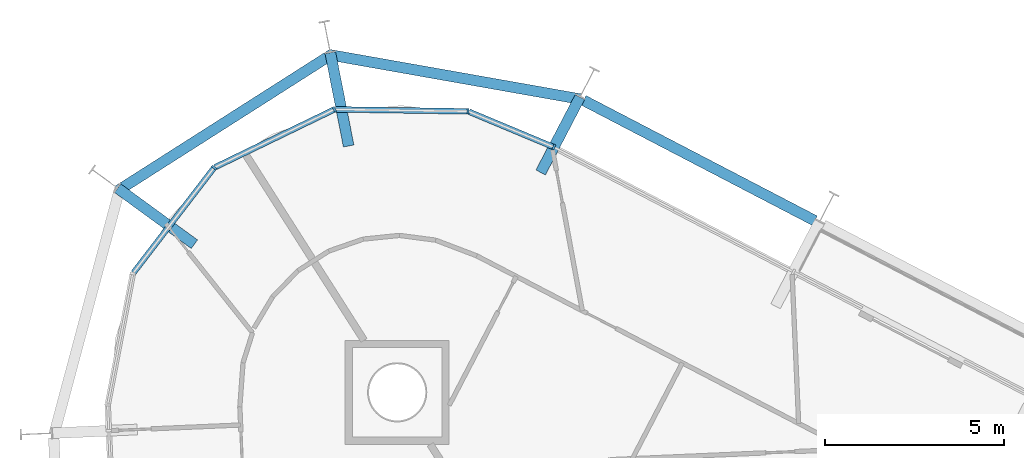
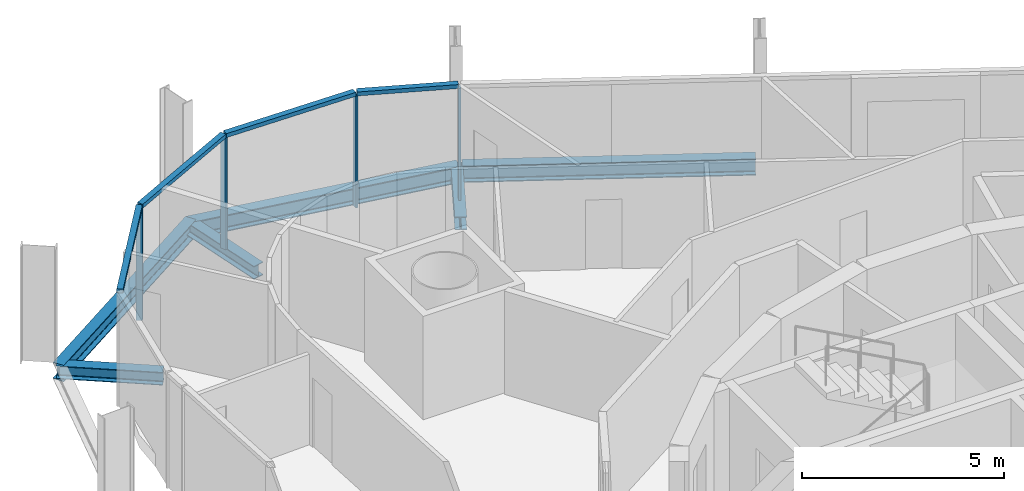
# One storey, part 8 of 17: 8 members, 6 beams, 1 element without a shape of its own.
"""IFC4 building model written with IfcOpenShell, lengths in metres."""

from ifc_helpers import new_model, si_unit, direction, frame, origin, origin_2d, place, context, subcontext, project, spatial, rectangle, i_section, extrude, material, layer, layer_set, material_profile, profile_set, type_object, element, aggregate, save


model = new_model("IFC4")

# Units and contexts
model_context = context("Model", 3, precision=1e-05, world=origin(), true_north=direction((0.0, 1.0)))
body_context = subcontext(model_context, "Body", "Model", "MODEL_VIEW")
ifc_project = project(units=[si_unit("LENGTHUNIT", "METRE"), si_unit("AREAUNIT", "SQUARE_METRE"), si_unit("VOLUMEUNIT", "CUBIC_METRE"), si_unit("PLANEANGLEUNIT", "RADIAN"), si_unit("MASSUNIT", "GRAM", prefix="KILO")], contexts=[model_context])

# Site, building, storey
site_placement = place(None, origin())
site = spatial("IfcSite", under=ifc_project, at=site_placement, CompositionType="ELEMENT")
building_placement = place(site_placement, origin())
building = spatial("IfcBuilding", under=site, at=building_placement, Name="Spindle Arch Residences", CompositionType="ELEMENT")
storey_placement = place(building_placement, frame((0.0, 0.0, 237.199951171875)))
storey = spatial("IfcBuildingStorey", under=building, at=storey_placement, Name="L60", CompositionType="ELEMENT", Elevation=237.199951171875)

# Curtain wall, members
ifc_material_1 = material(Name="Aluminium bronze unitised frame with tinted glass", Category="aluminium")
ifc_layer = layer(ifc_material_1, 0.159912109375)
ifc_layer_set = layer_set([ifc_layer], Name="CW-D corner wall on the fillet arcs")
curtain_wall_type = type_object("IfcCurtainWallType", Name="CW-D corner wall on the fillet arcs", PredefinedType="NOTDEFINED", material=ifc_layer_set)
curtain_wall_placement = place(storey_placement, origin())
curtain_wall = element("IfcCurtainWall", 1, at=curtain_wall_placement, inside=storey, type_object=curtain_wall_type, Name="CW-D L60 run 3", PredefinedType="NOTDEFINED")
ifc_material_2 = material(Name="Aluminium bronze anodised mullion", Category="aluminium")
ifc_material_profile_1 = material_profile(ifc_material_2, rectangle(XDim=0.159912109375, YDim=0.06005859375, at=origin_2d()), Name="MU 60x160")
ifc_profile_set_1 = profile_set([ifc_material_profile_1], Name="Aluminium bronze anodised mullion")
member_type_1 = type_object("IfcMemberType", Name="Bronze mullion 60x160", PredefinedType="MULLION", material=ifc_profile_set_1)
member_1_placement = place(storey_placement, frame((-6.19970703125, 23.423828125, -0.3798828125), z_axis=(0.0, 0.0, 1.0), x_axis=(-0.385552013734, -0.92268610302, 0.0)))
member_1 = element("IfcMember", 2, at=member_1_placement, type_object=member_type_1, Name="CW-D mullion 00", PredefinedType="MULLION", context=body_context, shape_type="SweptSolid", body=[
    extrude(rectangle(XDim=0.159912109375, YDim=0.06005859375, at=origin_2d()), origin(), (0.0, 0.0, 1.0), 3.3798828125),
])
member_2_placement = place(storey_placement, frame((-8.590576171875, 24.422607421875, -0.3798828125), z_axis=(0.0, 0.0, 1.0), x_axis=(-0.014543896145, -0.999894231949, 0.0)))
member_2 = element("IfcMember", 3, at=member_2_placement, type_object=member_type_1, Name="CW-D mullion 01", PredefinedType="MULLION", context=body_context, shape_type="SweptSolid", body=[
    extrude(rectangle(XDim=0.159912109375, YDim=0.06005859375, at=origin_2d()), origin(), (0.0, 0.0, 1.0), 3.3798828125),
])
member_3_placement = place(storey_placement, frame((-12.31689453125, 24.476806640625, -0.3798828125), z_axis=(0.0, 0.0, 1.0), x_axis=(0.435754815677, -0.900065409075, 0.0)))
member_3 = element("IfcMember", 4, at=member_3_placement, type_object=member_type_1, Name="CW-D mullion 02", PredefinedType="MULLION", context=body_context, shape_type="SweptSolid", body=[
    extrude(rectangle(XDim=0.159912109375, YDim=0.06005859375, at=origin_2d()), origin(), (0.0, 0.0, 1.0), 3.3798828125),
])
member_4_placement = place(storey_placement, frame((-15.671142578125, 22.85302734375, -0.3798828125), z_axis=(0.0, 0.0, 1.0), x_axis=(0.793353344679, -0.60876142329, 0.0)))
member_4 = element("IfcMember", 5, at=member_4_placement, type_object=member_type_1, Name="CW-D mullion 03", PredefinedType="MULLION", context=body_context, shape_type="SweptSolid", body=[
    extrude(rectangle(XDim=0.159912109375, YDim=0.06005859375, at=origin_2d()), origin(), (0.0, 0.0, 1.0), 3.3798828125),
])
ifc_material_3 = material(Name="Aluminium bronze anodised transom", Category="aluminium")
ifc_material_profile_2 = material_profile(ifc_material_3, rectangle(XDim=0.159912109375, YDim=0.1201171875, at=origin_2d()), Name="TR 120x160")
ifc_profile_set_2 = profile_set([ifc_material_profile_2], Name="Aluminium bronze anodised transom")
member_type_2 = type_object("IfcMemberType", Name="Bronze transom 120x160", PredefinedType="USERDEFINED", material=ifc_profile_set_2)
member_5_placement = place(storey_placement, frame((-6.2275390625, 23.435302734375, 3.06005859375), z_axis=(-0.922679730335, 0.385567264208, 0.0), x_axis=(-0.385567264208, -0.922679730335, 0.0)))
member_5 = element("IfcMember", 6, at=member_5_placement, type_object=member_type_2, Name="CW-D transom 00", ObjectType="TRANSOM", PredefinedType="USERDEFINED", context=body_context, shape_type="SweptSolid", body=[
    extrude(rectangle(XDim=0.159912109375, YDim=0.1201171875, at=origin_2d()), origin(), (0.0, 0.0, 1.0), 2.531005859375),
])
member_6_placement = place(storey_placement, frame((-8.620361328125, 24.423095703125, 3.06005859375), z_axis=(-0.999893692287, 0.014580950766, 0.0), x_axis=(-0.014580950766, -0.999893692287, 0.0)))
member_6 = element("IfcMember", 7, at=member_6_placement, type_object=member_type_2, Name="CW-D transom 01", ObjectType="TRANSOM", PredefinedType="USERDEFINED", context=body_context, shape_type="SweptSolid", body=[
    extrude(rectangle(XDim=0.159912109375, YDim=0.1201171875, at=origin_2d()), origin(), (0.0, 0.0, 1.0), 3.6669921875),
])
member_7_placement = place(storey_placement, frame((-12.34375, 24.4638671875, 3.06005859375), z_axis=(-0.900053962869, -0.435778457388, 0.0), x_axis=(0.435778457388, -0.900053962869, 0.0)))
member_7 = element("IfcMember", 8, at=member_7_placement, type_object=member_type_2, Name="CW-D transom 02", ObjectType="TRANSOM", PredefinedType="USERDEFINED", context=body_context, shape_type="SweptSolid", body=[
    extrude(rectangle(XDim=0.159912109375, YDim=0.1201171875, at=origin_2d()), origin(), (0.0, 0.0, 1.0), 3.666748046875),
])
member_8_placement = place(storey_placement, frame((-15.689453125, 22.8291015625, 3.06005859375), z_axis=(-0.608773956943, -0.793343727112, 0.0), x_axis=(0.793343727112, -0.608773956943, 0.0)))
member_8 = element("IfcMember", 9, at=member_8_placement, type_object=member_type_2, Name="CW-D transom 03", ObjectType="TRANSOM", PredefinedType="USERDEFINED", context=body_context, shape_type="SweptSolid", body=[
    extrude(rectangle(XDim=0.159912109375, YDim=0.1201171875, at=origin_2d()), origin(), (0.0, 0.0, 1.0), 3.666748046875),
])
aggregate(curtain_wall, [member_1, member_5, member_2, member_6, member_3, member_7, member_4, member_8])

# Beams
ifc_material_4 = material(Name="Steel S460ML, intumescent coating R 120", Category="steel")
ifc_material_profile_3 = material_profile(ifc_material_4, i_section(OverallWidth=0.300048828125, OverallDepth=0.5, WebThickness=0.014404296875, FlangeThickness=0.028076171875, FilletRadius=0.027099609375, at=origin_2d()), Name="HEB 500")
ifc_profile_set_3 = profile_set([ifc_material_profile_3], Name="Steel S460ML, intumescent coating R 120")
beam_type_1 = type_object("IfcBeamType", Name="Exoskeleton edge beam HEB 500", PredefinedType="BEAM", material=ifc_profile_set_3)
beam_1_placement = place(storey_placement, frame((1.0751953125, 21.372802734375, -0.6298828125), z_axis=(-0.887007222688, 0.461755548857, 0.0), x_axis=(-0.461755548857, -0.887007222688, 0.0)))
element("IfcBeam", 10, at=beam_1_placement, inside=storey, type_object=beam_type_1, Name="Exoskeleton edge beam 9", PredefinedType="BEAM", context=body_context, shape_type="SweptSolid", body=[
    extrude(i_section(OverallWidth=0.300048828125, OverallDepth=0.5, WebThickness=0.014404296875, FlangeThickness=0.028076171875, FilletRadius=0.027099609375, at=origin_2d()), origin(), (0.0, 0.0, 1.0), 7.27001953125),
])
beam_2_placement = place(storey_placement, frame((-5.46337890625, 24.762939453125, -0.6298828125), z_axis=(-0.984720537274, 0.174142078404, 0.0), x_axis=(-0.174142078404, -0.984720537274, 0.0)))
element("IfcBeam", 11, at=beam_2_placement, inside=storey, type_object=beam_type_1, Name="Exoskeleton edge beam 10", PredefinedType="BEAM", context=body_context, shape_type="SweptSolid", body=[
    extrude(i_section(OverallWidth=0.300048828125, OverallDepth=0.5, WebThickness=0.014404296875, FlangeThickness=0.028076171875, FilletRadius=0.027099609375, at=origin_2d()), origin(), (0.0, 0.0, 1.0), 7.105224609375),
])
beam_3_placement = place(storey_placement, frame((-12.371337890625, 26.0234375, -0.6298828125), z_axis=(-0.843392249939, -0.537298346119, 0.0), x_axis=(0.537298346119, -0.843392249939, 0.0)))
element("IfcBeam", 12, at=beam_3_placement, inside=storey, type_object=beam_type_1, Name="Exoskeleton edge beam 11", PredefinedType="BEAM", context=body_context, shape_type="SweptSolid", body=[
    extrude(i_section(OverallWidth=0.300048828125, OverallDepth=0.5, WebThickness=0.014404296875, FlangeThickness=0.028076171875, FilletRadius=0.027099609375, at=origin_2d()), origin(), (0.0, 0.0, 1.0), 7.09716796875),
])
ifc_material_5 = material(Name="Steel S460ML, intumescent coating R 120", Category="steel")
ifc_material_profile_4 = material_profile(ifc_material_5, i_section(OverallWidth=0.300048828125, OverallDepth=0.389892578125, WebThickness=0.010986328125, FlangeThickness=0.01904296875, FilletRadius=0.027099609375, at=origin_2d()), Name="HEA 400")
ifc_profile_set_4 = profile_set([ifc_material_profile_4], Name="Steel S460ML, intumescent coating R 120")
beam_type_2 = type_object("IfcBeamType", Name="Floor outrigger HEA 400", PredefinedType="BEAM", material=ifc_profile_set_4)
beam_4_placement = place(storey_placement, frame((-5.474853515625, 24.81640625, -0.574951171875), z_axis=(-0.46171971426, -0.887025876434, 0.0), x_axis=(0.887025876434, -0.46171971426, 0.0)))
element("IfcBeam", 13, at=beam_4_placement, inside=storey, type_object=beam_type_2, Name="Floor outrigger 10", PredefinedType="BEAM", context=body_context, shape_type="SweptSolid", body=[
    extrude(i_section(OverallWidth=0.300048828125, OverallDepth=0.389892578125, WebThickness=0.010986328125, FlangeThickness=0.01904296875, FilletRadius=0.027099609375, at=origin_2d()), origin(), (0.0, 0.0, 1.0), 2.36669921875),
])
beam_5_placement = place(storey_placement, frame((-12.4326171875, 26.056640625, -0.574951171875), z_axis=(0.193191977973, -0.981160975399, 0.0), x_axis=(0.981160975399, 0.193191977973, 0.0)))
element("IfcBeam", 14, at=beam_5_placement, inside=storey, type_object=beam_type_2, Name="Floor outrigger 11", PredefinedType="BEAM", context=body_context, shape_type="SweptSolid", body=[
    extrude(i_section(OverallWidth=0.300048828125, OverallDepth=0.389892578125, WebThickness=0.010986328125, FlangeThickness=0.01904296875, FilletRadius=0.027099609375, at=origin_2d()), origin(), (0.0, 0.0, 1.0), 2.64990234375),
])
beam_6_placement = place(storey_placement, frame((-18.361083984375, 22.27978515625, -0.574951171875), z_axis=(0.807563254959, -0.589780967174, 0.0), x_axis=(0.589780967174, 0.807563254959, 0.0)))
element("IfcBeam", 15, at=beam_6_placement, inside=storey, type_object=beam_type_2, Name="Floor outrigger 12", PredefinedType="BEAM", context=body_context, shape_type="SweptSolid", body=[
    extrude(i_section(OverallWidth=0.300048828125, OverallDepth=0.389892578125, WebThickness=0.010986328125, FlangeThickness=0.01904296875, FilletRadius=0.027099609375, at=origin_2d()), origin(), (0.0, 0.0, 1.0), 2.650146484375),
])

save(model, "model.ifc")
